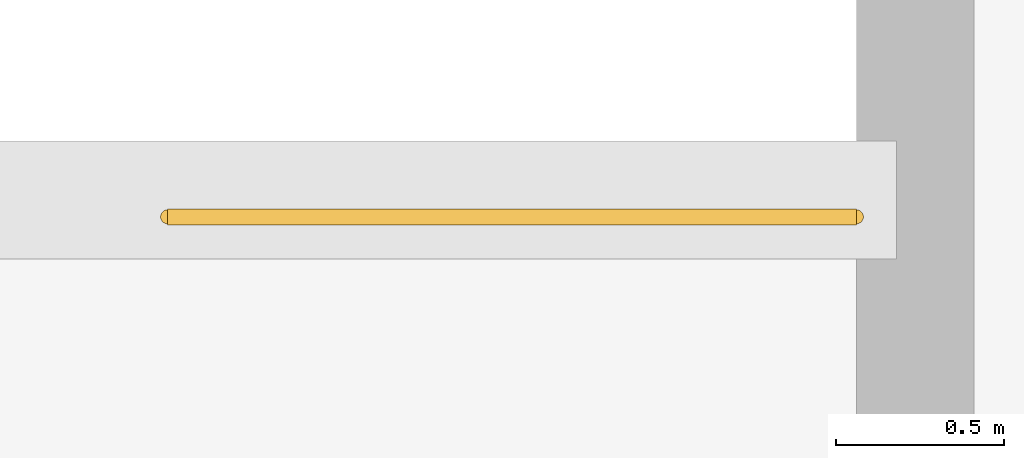
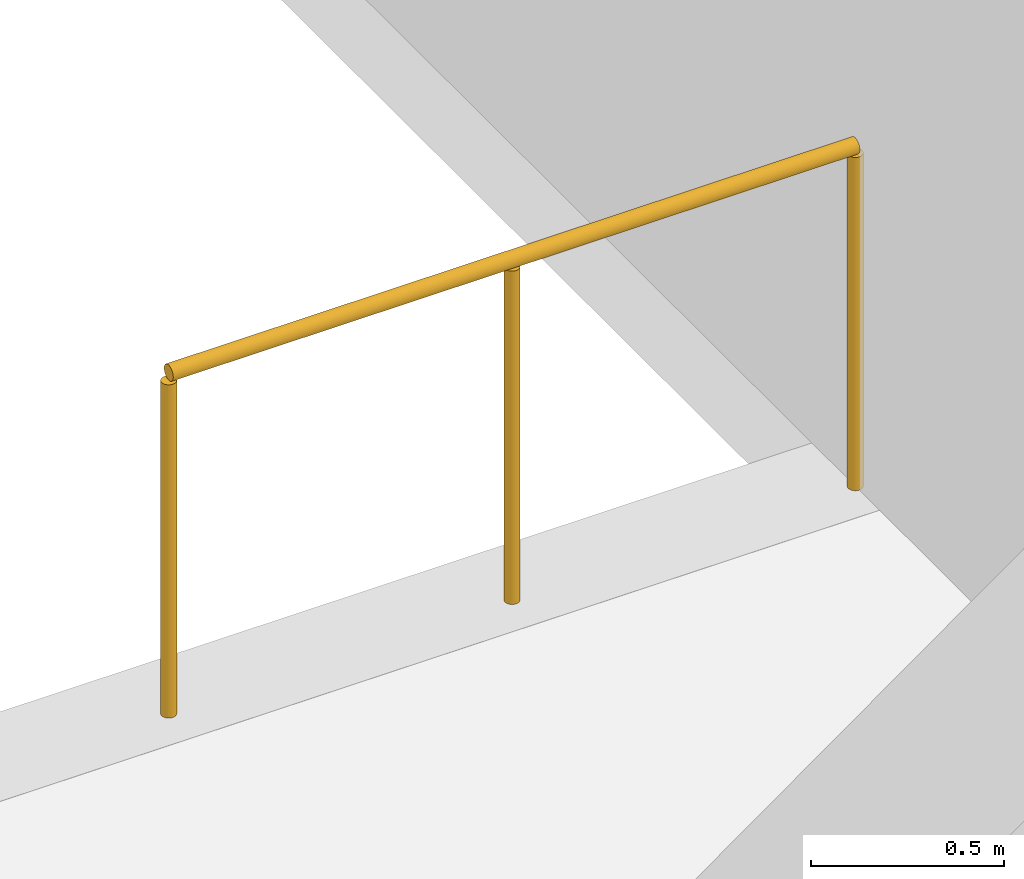
# One storey, part 80 of 80: 1 railing.
"""IFC4 building model written with IfcOpenShell, lengths in metres."""

import ifcopenshell
import ifcopenshell.guid

model = None  # the IFC model being written
_history = None  # IfcOwnerHistory: only IFC2X3 demands one
_inside = {}  # id of a spatial element -> (the spatial element, [elements in it])
_under = {}  # id of a project, library or spatial element -> (it, [spatial elements below it])
_declared = {}  # id of a project -> (the project, [libraries it declares])
_typed = {}  # id of a type object -> (the type object, [elements of that type])
_made_of = {}  # id of a material, layer set ... -> (it, [elements and type objects made of it])


def new_model(schema):
    """Start an empty IFC model of exactly this schema.

    Asked for "IFC4X3", IfcOpenShell would pick the latest addendum, in which some entities
    have other attributes; the version numbers below select the first issue.
    IFC2X3 requires an IfcOwnerHistory on every rooted entity: one is made here for all.
    """
    global model, _history
    if schema == "IFC4X3":
        model = ifcopenshell.file(schema_version=(4, 3, 0, 0))
    else:
        model = ifcopenshell.file(schema=schema)
    _inside.clear()
    _under.clear()
    _declared.clear()
    _typed.clear()
    _made_of.clear()
    _history = None
    if model.schema == "IFC2X3":
        org = make("IfcOrganization", Name="unknown")
        user = make(
            "IfcPersonAndOrganization",
            ThePerson=make("IfcPerson", FamilyName="unknown"),
            TheOrganization=org,
        )
        app = make(
            "IfcApplication",
            ApplicationDeveloper=org,
            Version="unknown",
            ApplicationFullName="unknown",
            ApplicationIdentifier="unknown",
        )
        _history = make(
            "IfcOwnerHistory",
            OwningUser=user,
            OwningApplication=app,
            ChangeAction="ADDED",
            CreationDate=0,
        )
    return model


def make(cls, **values):
    """One entity of the class cls with the attributes given. An attribute that is None is left unset."""
    return model.create_entity(
        cls, **{name: value for name, value in values.items() if value is not None}
    )


def rooted(cls, **values):
    """An entity with a GlobalId (a new one), such as an element, a storey or a relation."""
    return make(cls, GlobalId=ifcopenshell.guid.new(), OwnerHistory=_history, **values)


def si_unit(unit_type, name, prefix=None):
    """IfcSIUnit, for example si_unit("LENGTHUNIT", "METRE", prefix="MILLI")."""
    return make("IfcSIUnit", UnitType=unit_type, Prefix=prefix, Name=name)


def assignment(units):
    """IfcUnitAssignment: the units of a project."""
    return None if units is None else make("IfcUnitAssignment", Units=units)


def point(xyz):
    """IfcCartesianPoint."""
    return None if xyz is None else make("IfcCartesianPoint", Coordinates=xyz)


def direction(xyz):
    """IfcDirection."""
    return None if xyz is None else make("IfcDirection", DirectionRatios=xyz)


def frame(location, z_axis=None, x_axis=None):
    """IfcAxis2Placement3D, a coordinate frame: its origin and axes. An axis left out is left unset."""
    return make(
        "IfcAxis2Placement3D",
        Location=point(location),
        Axis=direction(z_axis),
        RefDirection=direction(x_axis),
    )


def frame_2d(location, x_axis=None):
    """IfcAxis2Placement2D, a coordinate frame in the plane: its origin and x axis."""
    return make(
        "IfcAxis2Placement2D", Location=point(location), RefDirection=direction(x_axis)
    )


def origin():
    """The frame at (0, 0, 0) with its axes left unset."""
    return frame((0.0, 0.0, 0.0))


def origin_2d():
    """The frame at (0, 0) in the plane with its x axis left unset."""
    return frame_2d((0.0, 0.0))


def place(relative_to, where):
    """IfcLocalPlacement: puts the frame where relative to a parent placement (None: the world)."""
    return make(
        "IfcLocalPlacement", PlacementRelTo=relative_to, RelativePlacement=where
    )


def context(
    kind, dimensions, precision=None, world=None, true_north=None, identifier=None
):
    """IfcGeometricRepresentationContext, for example the 3D "Model" context."""
    return make(
        "IfcGeometricRepresentationContext",
        ContextIdentifier=identifier,
        ContextType=kind,
        CoordinateSpaceDimension=dimensions,
        Precision=precision,
        WorldCoordinateSystem=world,
        TrueNorth=true_north,
    )


def subcontext(parent, identifier, kind, view, scale=None):
    """IfcGeometricRepresentationSubContext, for example "Body" below "Model"."""
    return make(
        "IfcGeometricRepresentationSubContext",
        ContextIdentifier=identifier,
        ContextType=kind,
        ParentContext=parent,
        TargetScale=scale,
        TargetView=view,
    )


def project(units=None, contexts=None):
    """IfcProject with its units and contexts."""
    return rooted(
        "IfcProject",
        Name="project",
        RepresentationContexts=contexts,
        UnitsInContext=assignment(units),
    )


def spatial(cls, under=None, at=None, **own):
    """A site, building, storey or space (cls), placed at a placement, below another one or the project."""
    s = rooted(cls, ObjectPlacement=at, **own)
    if under is not None:
        _under.setdefault(under.id(), (under, []))[1].append(s)
    return s


def profile(cls, at=None, kind="AREA", **sizes):
    """A parametric profile (cls). Its sizes go by their IFC names, for example OverallWidth=200.0."""
    return make(cls, ProfileType=kind, Position=at, **sizes)


def circle(**sizes):
    """IfcCircleProfileDef."""
    return profile("IfcCircleProfileDef", **sizes)


def extrude(swept, where, along, depth):
    """IfcExtrudedAreaSolid: the profile swept, set in the frame where, extruded along a direction by depth."""
    return make(
        "IfcExtrudedAreaSolid",
        SweptArea=swept,
        Position=where,
        ExtrudedDirection=direction(along),
        Depth=depth,
    )


def shape(context_of_items, identifier, shape_type, items):
    """IfcShapeRepresentation: the items that make up one representation, for example the "Body"."""
    return make(
        "IfcShapeRepresentation",
        ContextOfItems=context_of_items,
        RepresentationIdentifier=identifier,
        RepresentationType=shape_type,
        Items=items,
    )


def material(Name=None, Category=None):
    """IfcMaterial."""
    return make("IfcMaterial", Name=Name, Category=Category)


def made_of(thing, what):
    """Note that an element or type object is made of a material, layer set ...; save() writes the relation."""
    if what is not None:
        _made_of.setdefault(what.id(), (what, []))[1].append(thing)
    return thing


def type_object(cls, material=None, **own):
    """A type object (cls), such as IfcWallType, which elements share."""
    return made_of(rooted(cls, **own), material)


def element(
    cls,
    number,
    at=None,
    inside=None,
    cuts=None,
    type_object=None,
    material=None,
    context=None,
    identifier="Body",
    shape_type=None,
    held_by="IfcProductDefinitionShape",
    body=None,
    shapes=None,
    **own,
):
    """One element of the class cls, such as IfcWall. Its Tag is "e" and its number.

    at: its placement. inside: the storey or other place that contains it. cuts: it is an
    opening in that element (IfcRelVoidsElement). A single representation is given by context,
    identifier, shape_type and body (its items); several are given by shapes. held_by: the class
    of the entity that holds the representations. save() writes the other relations.
    """
    e = rooted(cls, Tag="e%d" % number, ObjectPlacement=at, **own)
    if body is not None:
        shapes = [shape(context, identifier, shape_type, body)]
    if shapes is not None:
        e.Representation = make(held_by, Representations=shapes)
    if inside is not None:
        _inside.setdefault(inside.id(), (inside, []))[1].append(e)
    if cuts is not None:
        rooted(
            "IfcRelVoidsElement", RelatingBuildingElement=cuts, RelatedOpeningElement=e
        )
    if type_object is not None:
        _typed.setdefault(type_object.id(), (type_object, []))[1].append(e)
    return made_of(e, material)


def aggregate(whole, parts):
    """IfcRelAggregates: a whole, such as a stair, and the parts it consists of."""
    return rooted("IfcRelAggregates", RelatingObject=whole, RelatedObjects=parts)


def save(model, path):
    """Write the relations noted so far, then the file.

    IfcRelAggregates (storeys below a building ...), IfcRelContainedInSpatialStructure (elements
    in a storey), IfcRelDefinesByType, IfcRelAssociatesMaterial and IfcRelDeclares: one each for
    every whole, place, type object, material and project.
    """
    for whole, parts in _under.values():
        aggregate(whole, parts)
    for where, things in _inside.values():
        rooted(
            "IfcRelContainedInSpatialStructure",
            RelatedElements=things,
            RelatingStructure=where,
        )
    for kind, things in _typed.values():
        rooted("IfcRelDefinesByType", RelatedObjects=things, RelatingType=kind)
    for what, things in _made_of.values():
        rooted("IfcRelAssociatesMaterial", RelatedObjects=things, RelatingMaterial=what)
    for by, libraries in _declared.values():
        rooted("IfcRelDeclares", RelatingContext=by, RelatedDefinitions=libraries)
    model.write(path)


model = new_model("IFC4")

# Units and contexts
model_context = context("Model", 3, precision=1e-05, world=origin(), true_north=direction((0.0, 1.0)))
body_context = subcontext(model_context, "Body", "Model", "MODEL_VIEW")
ifc_project = project(units=[si_unit("LENGTHUNIT", "METRE"), si_unit("AREAUNIT", "SQUARE_METRE"), si_unit("VOLUMEUNIT", "CUBIC_METRE"), si_unit("PLANEANGLEUNIT", "RADIAN"), si_unit("MASSUNIT", "GRAM", prefix="KILO")], contexts=[model_context])

# Site, building, storey
site_placement = place(None, origin())
site = spatial("IfcSite", under=ifc_project, at=site_placement, CompositionType="ELEMENT")
building_placement = place(site_placement, origin())
building = spatial("IfcBuilding", under=site, at=building_placement, Name="Vaelkrest Opera House", CompositionType="ELEMENT")
storey_placement = place(building_placement, frame((0.0, 0.0, 15.0)))
storey = spatial("IfcBuildingStorey", under=building, at=storey_placement, Name="L03", CompositionType="ELEMENT", Elevation=15.0)

# Railing
ifc_material = material(Name="Dark bronze anodized aluminium", Category="aluminium")
railing_type = type_object("IfcRailingType", Name="GR02", PredefinedType="GUARDRAIL", material=ifc_material)
railing_placement = place(storey_placement, frame((76.199951171875, -16.60009765625, 0.0)))
element("IfcRailing", 1, at=railing_placement, inside=storey, type_object=railing_type, Name="L03 ST10 top well guard 1", PredefinedType="GUARDRAIL", context=body_context, shape_type="SweptSolid", body=[
    extrude(circle(Radius=0.02392578125, at=origin_2d()), frame((0.0, 0.0, 1.076171875), z_axis=(-1.0, 0.0, 0.0), x_axis=(0.0, -1.0, 0.0)), (0.0, 0.0, 1.0), 2.050048828125),
    extrude(circle(Radius=0.02099609375, at=origin_2d()), origin(), (0.0, 0.0, 1.0), 1.052001953125),
    extrude(circle(Radius=0.02099609375, at=origin_2d()), frame((-1.02490234375, 0.0, 0.0)), (0.0, 0.0, 1.0), 1.052001953125),
    extrude(circle(Radius=0.02099609375, at=origin_2d()), frame((-2.050048828125, 0.0, 0.0)), (0.0, 0.0, 1.0), 1.052001953125),
])

save(model, "model.ifc")
